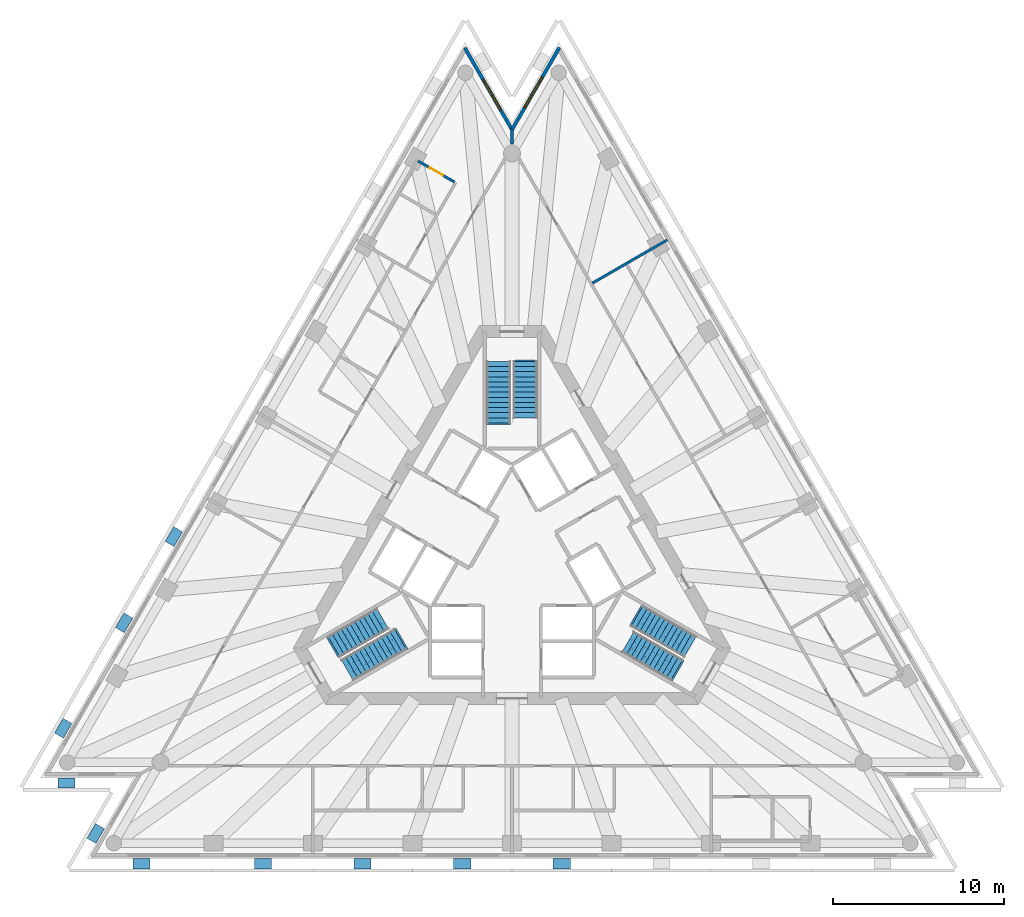
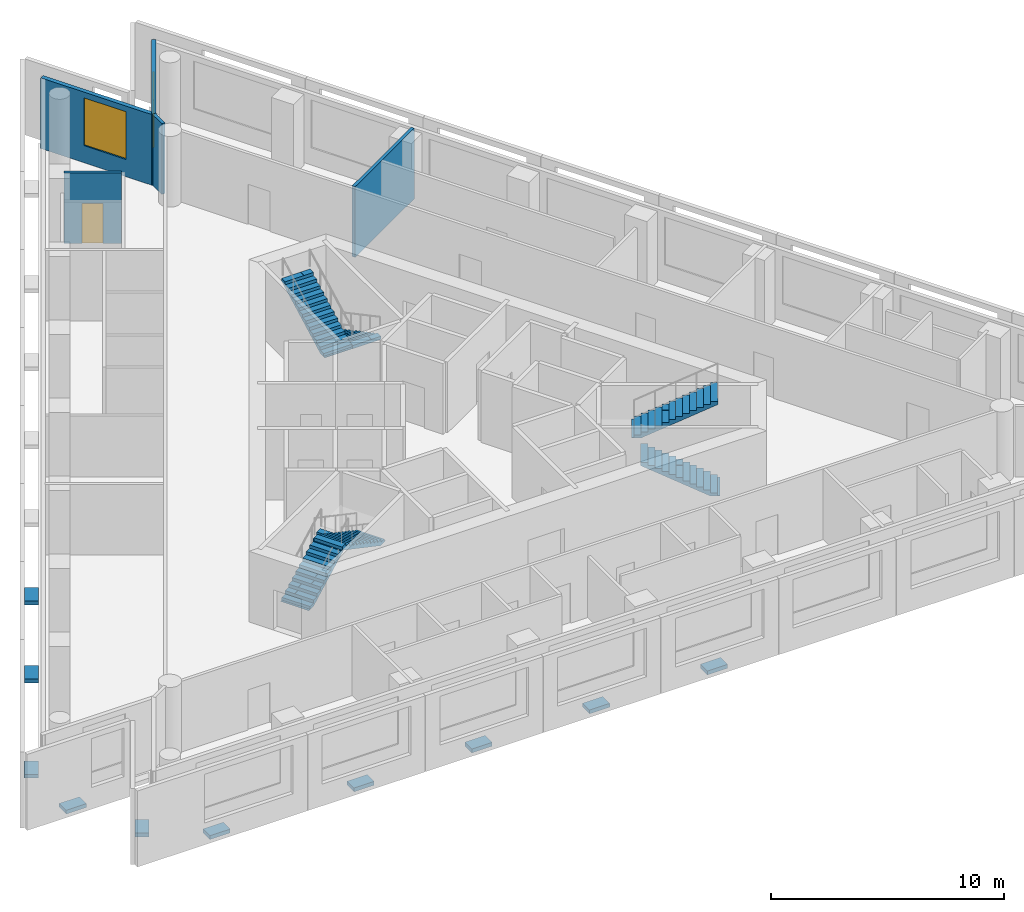
# One storey, part 7 of 10: 10 discrete accessories, 6 stair flights, 5 walls, 2 windows, 1 door, 3 openings, 3 elements without a shape of their own.
"""IFC4 building model written with IfcOpenShell, lengths in metres."""

from ifc_helpers import new_model, si_unit, direction, frame, frame_2d, origin, origin_2d, place, context, subcontext, project, spatial, polyline, rectangle, outline, extrude, material, layer, layer_set, layer_usage, type_object, element, fill, aggregate, save


model = new_model("IFC4")

# Units and contexts
model_context = context("Model", 3, precision=1e-05, world=origin(), true_north=direction((0.0, 1.0)))
body_context = subcontext(model_context, "Body", "Model", "MODEL_VIEW")
ifc_project = project(units=[si_unit("LENGTHUNIT", "METRE"), si_unit("AREAUNIT", "SQUARE_METRE"), si_unit("VOLUMEUNIT", "CUBIC_METRE"), si_unit("PLANEANGLEUNIT", "RADIAN"), si_unit("MASSUNIT", "GRAM", prefix="KILO")], contexts=[model_context])

# Site, building, storey
site_placement = place(None, origin())
site = spatial("IfcSite", under=ifc_project, at=site_placement, CompositionType="ELEMENT")
building_placement = place(site_placement, origin())
building = spatial("IfcBuilding", under=site, at=building_placement, Name="Triada Interchange Tower", CompositionType="ELEMENT")
storey_placement = place(building_placement, frame((0.0, 0.0, 239.300048828125)))
storey = spatial("IfcBuildingStorey", under=building, at=storey_placement, Name="L56", CompositionType="ELEMENT", Elevation=239.300048828125)

# Wall, opening, window
ifc_material_1 = material(Name="Cement board")
ifc_layer_1 = layer(ifc_material_1, 0.02001953125, Name="Cement board cladding")
ifc_material_2 = material(Name="Sheathing board")
ifc_layer_2 = layer(ifc_material_2, 0.014892578125, Name="Sheathing board")
ifc_material_3 = material(Name="Mineral wool")
ifc_layer_3 = layer(ifc_material_3, 0.14990234375, Name="Mineral wool between steel studs")
ifc_material_4 = material(Name="Gypsum board")
ifc_layer_4 = layer(ifc_material_4, 0.014892578125, Name="Plasterboard lining")
ifc_layer_set_1 = layer_set([ifc_layer_1, ifc_layer_2, ifc_layer_3, ifc_layer_4], Name="External wall 200")
ifc_layer_usage = layer_usage(ifc_layer_set_1, "AXIS2", "POSITIVE", -0.10009765625)
wall_type_1 = type_object("IfcWallType", Name="External wall 200", PredefinedType="ELEMENTEDWALL", material=ifc_layer_set_1)
wall_1_placement = place(storey_placement, frame((2.777099609375, 29.9951171875, 0.0), z_axis=(0.0, 0.0, 1.0), x_axis=(-0.499957919771, -0.866049697453, 0.0)))
wall_1 = element("IfcWall", 1, at=wall_1_placement, inside=storey, type_object=wall_type_1, material=ifc_layer_usage, Name="External wall L56 N-1", PredefinedType="ELEMENTEDWALL", context=body_context, shape_type="SweptSolid", body=[
    extrude(rectangle(XDim=5.62451171875, YDim=0.199951171875, at=frame_2d((2.812255859375, 0.0))), origin(), (0.0, 0.0, 1.0), 3.699951171875),
])
opening_1_placement = place(wall_1_placement, frame((1.989990234375, 0.0, 0.89990234375)))
opening_1 = element("IfcOpeningElement", 2, at=opening_1_placement, cuts=wall_1, Name="Opening WC29", PredefinedType="OPENING", context=body_context, shape_type="SweptSolid", body=[
    extrude(rectangle(XDim=2.10009765625, YDim=2.5, at=frame_2d((1.050048828125, 1.25))), frame((0.0, 0.10986328125, 0.0), z_axis=(0.0, -1.0, 0.0), x_axis=(1.0, 0.0, 0.0)), (0.0, 0.0, 1.0), 0.219970703125),
])
ifc_material_5 = material(Name="Double glazed aluminium window", Category="aluminium")
window_type = type_object("IfcWindowType", Name="Ribbon window C pocket", PartitioningType="SINGLE_PANEL", PredefinedType="WINDOW", material=ifc_material_5)
window_1_placement = place(opening_1_placement, origin())
window_1 = element("IfcWindow", 3, at=window_1_placement, inside=storey, type_object=window_type, Name="Window L56 N-1 1", OverallHeight=2.5, OverallWidth=2.10009765625, PartitioningType="SINGLE_PANEL", PredefinedType="WINDOW", context=body_context, shape_type="SweptSolid", body=[
    extrude(rectangle(XDim=2.10009765625, YDim=2.5, at=frame_2d((1.050048828125, 1.25))), frame((0.0, 0.030029296875, 0.0), z_axis=(0.0, -1.0, 0.0), x_axis=(1.0, 0.0, 0.0)), (0.0, 0.0, 1.0), 0.06005859375),
])
fill(opening_1, window_1)

wall_2_placement = place(storey_placement, frame((0.044921875, 25.10693359375, 0.0), z_axis=(0.0, 0.0, 1.0), x_axis=(-0.499957919771, 0.866049697453, 0.0)))
wall_2 = element("IfcWall", 4, at=wall_2_placement, inside=storey, type_object=wall_type_1, material=ifc_layer_usage, Name="External wall L56 N-2", PredefinedType="ELEMENTEDWALL", context=body_context, shape_type="SweptSolid", body=[
    extrude(rectangle(XDim=5.62451171875, YDim=0.199951171875, at=frame_2d((2.812255859375, 0.0))), origin(), (0.0, 0.0, 1.0), 3.699951171875),
])
opening_2_placement = place(wall_2_placement, frame((1.389892578125, 0.0, 0.89990234375)))
opening_2 = element("IfcOpeningElement", 5, at=opening_2_placement, cuts=wall_2, Name="Opening WC30", PredefinedType="OPENING", context=body_context, shape_type="SweptSolid", body=[
    extrude(rectangle(XDim=2.10009765625, YDim=2.5, at=frame_2d((1.050048828125, 1.25))), frame((0.0, 0.10986328125, 0.0), z_axis=(0.0, -1.0, 0.0), x_axis=(1.0, 0.0, 0.0)), (0.0, 0.0, 1.0), 0.219970703125),
])
window_2_placement = place(opening_2_placement, origin())
window_2 = element("IfcWindow", 6, at=window_2_placement, inside=storey, type_object=window_type, Name="Window L56 N-2 1", OverallHeight=2.5, OverallWidth=2.10009765625, PartitioningType="SINGLE_PANEL", PredefinedType="WINDOW", context=body_context, shape_type="SweptSolid", body=[
    extrude(rectangle(XDim=2.10009765625, YDim=2.5, at=frame_2d((1.050048828125, 1.25))), frame((0.0, 0.030029296875, 0.0), z_axis=(0.0, -1.0, 0.0), x_axis=(1.0, 0.0, 0.0)), (0.0, 0.0, 1.0), 0.06005859375),
])
fill(opening_2, window_2)

# Walls
ifc_material_6 = material(Name="Gypsum board partition")
ifc_layer_5 = layer(ifc_material_6, 0.14990234375)
ifc_layer_set_2 = layer_set([ifc_layer_5], Name="PARTITION 150 EI 180")
wall_type_2 = type_object("IfcWallType", Name="PARTITION 150 EI 180", PredefinedType="PARTITIONING", material=ifc_layer_set_2)
wall_3_placement = place(storey_placement, frame((0.0, 24.35009765625, 0.0), z_axis=(0.0, 0.0, 1.0), x_axis=(0.0, 1.0, 0.0)))
element("IfcWall", 7, at=wall_3_placement, inside=storey, type_object=wall_type_2, Name="Wall L56 20", PredefinedType="PARTITIONING", context=body_context, shape_type="SweptSolid", body=[
    extrude(rectangle(XDim=0.8349609375, YDim=0.14990234375, at=frame_2d((0.41748046875, 0.0))), origin(), (0.0, 0.0, 1.0), 3.699951171875),
])
wall_4_placement = place(storey_placement, frame((4.7109375, 16.18994140625, 0.0), z_axis=(0.0, 0.0, 1.0), x_axis=(0.866065287345, 0.499930913282, 0.0)))
element("IfcWall", 8, at=wall_4_placement, inside=storey, type_object=wall_type_2, Name="Wall L56 24", PredefinedType="PARTITIONING", context=body_context, shape_type="SweptSolid", body=[
    extrude(rectangle(XDim=5.069091796875, YDim=0.14990234375, at=frame_2d((2.53466796875, 0.0))), origin(), (0.0, 0.0, 1.0), 3.699951171875),
])

# Wall, opening, door
ifc_layer_6 = layer(ifc_material_6, 0.14990234375)
ifc_layer_set_3 = layer_set([ifc_layer_6], Name="PARTITION 150 EI 90")
wall_type_3 = type_object("IfcWallType", Name="PARTITION 150 EI 90", PredefinedType="PARTITIONING", material=ifc_layer_set_3)
wall_5_placement = place(storey_placement, frame((-5.501953125, 23.343994140625, 0.0), z_axis=(0.0, 0.0, 1.0), x_axis=(0.866000604582, -0.500042951019, 0.0)))
wall_5 = element("IfcWall", 9, at=wall_5_placement, inside=storey, type_object=wall_type_3, Name="Wall L56 30", PredefinedType="PARTITIONING", context=body_context, shape_type="SweptSolid", body=[
    extrude(rectangle(XDim=2.461669921875, YDim=0.14990234375, at=frame_2d((1.23095703125, 0.0))), origin(), (0.0, 0.0, 1.0), 3.699951171875),
])
opening_3_placement = place(wall_5_placement, frame((0.77490234375, 0.0, 0.0)))
opening_3 = element("IfcOpeningElement", 10, at=opening_3_placement, cuts=wall_5, Name="Opening D56-32", PredefinedType="OPENING", context=body_context, shape_type="SweptSolid", body=[
    extrude(rectangle(XDim=0.89990234375, YDim=2.10009765625, at=frame_2d((0.449951171875, 1.050048828125))), frame((0.0, 0.0849609375, 0.0), z_axis=(0.0, -1.0, 0.0), x_axis=(1.0, 0.0, 0.0)), (0.0, 0.0, 1.0), 0.169921875),
])
ifc_material_7 = material(Name="Steel S235 door leaf", Category="steel")
door_type = type_object("IfcDoorType", Name="SERVICE DOOR 900 EI2 45-C5S200", OperationType="NOTDEFINED", PredefinedType="DOOR", material=ifc_material_7)
door_placement = place(opening_3_placement, origin())
door = element("IfcDoor", 11, at=door_placement, inside=storey, type_object=door_type, Name="Door D56-32 L56", OperationType="SINGLE_SWING_RIGHT", OverallHeight=2.10009765625, OverallWidth=0.89990234375, PredefinedType="DOOR", context=body_context, shape_type="SweptSolid", body=[
    extrude(rectangle(XDim=0.89990234375, YDim=2.10009765625, at=frame_2d((0.449951171875, 1.050048828125))), frame((0.0, 0.02490234375, 0.0), z_axis=(0.0, -1.0, 0.0), x_axis=(1.0, 0.0, 0.0)), (0.0, 0.0, 1.0), 0.050048828125),
])
fill(opening_3, door)

# Stair, stair flights
ifc_material_8 = material(Name="Concrete C35/45", Category="concrete")
stair_type = type_object("IfcStairType", Name="HALF TURN STAIR 1400", PredefinedType="HALF_TURN_STAIR", material=ifc_material_8)
stair_1_placement = place(storey_placement, origin())
stair_1 = element("IfcStair", 12, at=stair_1_placement, inside=storey, type_object=stair_type, Name="Exit stair S56-1", PredefinedType="HALF_TURN_STAIR")
stair_flight_type = type_object("IfcStairFlightType", Name="STRAIGHT STAIR FLIGHT 1400", PredefinedType="STRAIGHT", material=ifc_material_8)
stair_flight_1_placement = place(storey_placement, frame((0.800048828125, 11.60009765625, 0.0), z_axis=(0.0, 0.0, 1.0), x_axis=(0.0, -1.0, 0.0)))
stair_flight_1 = element("IfcStairFlight", 13, at=stair_flight_1_placement, type_object=stair_flight_type, Name="S56-1 flight 1", NumberOfRisers=12, NumberOfTreads=11, PredefinedType="STRAIGHT", RiserHeight=0.16, TreadLength=0.3, context=body_context, shape_type="SweptSolid", body=[
    extrude(outline(polyline([(-0.10009765625, 0.0), (-0.10009765625, 0.02001953125), (0.0, 0.02001953125), (0.0, 0.159912109375), (0.300048828125, 0.159912109375), (0.300048828125, 0.320068359375), (0.60009765625, 0.320068359375), (0.60009765625, 0.47998046875), (0.89990234375, 0.47998046875), (0.89990234375, 0.639892578125), (1.199951171875, 0.639892578125), (1.199951171875, 0.800048828125), (1.5, 0.800048828125), (1.5, 0.9599609375), (1.800048828125, 0.9599609375), (1.800048828125, 1.1201171875), (2.10009765625, 1.1201171875), (2.10009765625, 1.280029296875), (2.39990234375, 1.280029296875), (2.39990234375, 1.43994140625), (2.699951171875, 1.43994140625), (2.699951171875, 1.60009765625), (3.0, 1.60009765625), (3.0, 1.760009765625), (3.300048828125, 1.760009765625), (3.303955078125, 1.760009765625), (3.303955078125, 1.919921875), (3.303955078125, 1.590087890625), (0.318603515625, 0.0), (-0.10009765625, 0.0)])), frame((0.0, 0.699951171875, 0.0), z_axis=(0.0, -1.0, 0.0), x_axis=(1.0, 0.0, 0.0)), (0.0, 0.0, 1.0), 0.46533203125),
    extrude(outline(polyline([(-0.10009765625, 0.0), (-0.10009765625, 0.02001953125), (0.0, 0.02001953125), (0.0, 0.159912109375), (0.300048828125, 0.159912109375), (0.300048828125, 0.320068359375), (0.60009765625, 0.320068359375), (0.60009765625, 0.47998046875), (0.89990234375, 0.47998046875), (0.89990234375, 0.639892578125), (1.199951171875, 0.639892578125), (1.199951171875, 0.800048828125), (1.5, 0.800048828125), (1.5, 0.9599609375), (1.800048828125, 0.9599609375), (1.800048828125, 1.1201171875), (2.10009765625, 1.1201171875), (2.10009765625, 1.280029296875), (2.39990234375, 1.280029296875), (2.39990234375, 1.43994140625), (2.699951171875, 1.43994140625), (2.699951171875, 1.60009765625), (3.0, 1.60009765625), (3.0, 1.760009765625), (3.300048828125, 1.760009765625), (3.303955078125, 1.760009765625), (3.303955078125, 1.919921875), (3.303955078125, 1.590087890625), (0.318603515625, 0.0), (-0.10009765625, 0.0)])), frame((0.0, 0.232666015625, 0.0), z_axis=(0.0, -1.0, 0.0), x_axis=(1.0, 0.0, 0.0)), (0.0, 0.0, 1.0), 0.46533203125),
    extrude(outline(polyline([(-0.10009765625, 0.0), (-0.10009765625, 0.02001953125), (0.0, 0.02001953125), (0.0, 0.159912109375), (0.300048828125, 0.159912109375), (0.300048828125, 0.320068359375), (0.60009765625, 0.320068359375), (0.60009765625, 0.47998046875), (0.89990234375, 0.47998046875), (0.89990234375, 0.639892578125), (1.199951171875, 0.639892578125), (1.199951171875, 0.800048828125), (1.5, 0.800048828125), (1.5, 0.9599609375), (1.800048828125, 0.9599609375), (1.800048828125, 1.1201171875), (2.10009765625, 1.1201171875), (2.10009765625, 1.280029296875), (2.39990234375, 1.280029296875), (2.39990234375, 1.43994140625), (2.699951171875, 1.43994140625), (2.699951171875, 1.60009765625), (3.0, 1.60009765625), (3.0, 1.760009765625), (3.300048828125, 1.760009765625), (3.303955078125, 1.760009765625), (3.303955078125, 1.919921875), (3.303955078125, 1.590087890625), (0.318603515625, 0.0), (-0.10009765625, 0.0)])), frame((0.0, -0.234619140625, 0.0), z_axis=(0.0, -1.0, 0.0), x_axis=(1.0, 0.0, 0.0)), (0.0, 0.0, 1.0), 0.46533203125),
])
stair_flight_2_placement = place(storey_placement, frame((-0.800048828125, 8.0, 1.919921875), z_axis=(0.0, 0.0, 1.0), x_axis=(0.0, 1.0, 0.0)))
stair_flight_2 = element("IfcStairFlight", 14, at=stair_flight_2_placement, type_object=stair_flight_type, Name="S56-1 flight 2", NumberOfRisers=13, NumberOfTreads=12, PredefinedType="STRAIGHT", RiserHeight=0.16, TreadLength=0.3, context=body_context, shape_type="SweptSolid", body=[
    extrude(outline(polyline([(-0.10009765625, 0.0), (-0.10009765625, 0.02001953125), (0.0, 0.02001953125), (0.0, 0.159912109375), (0.300048828125, 0.159912109375), (0.300048828125, 0.320068359375), (0.60009765625, 0.320068359375), (0.60009765625, 0.47998046875), (0.89990234375, 0.47998046875), (0.89990234375, 0.639892578125), (1.199951171875, 0.639892578125), (1.199951171875, 0.800048828125), (1.5, 0.800048828125), (1.5, 0.9599609375), (1.800048828125, 0.9599609375), (1.800048828125, 1.1201171875), (2.10009765625, 1.1201171875), (2.10009765625, 1.280029296875), (2.39990234375, 1.280029296875), (2.39990234375, 1.43994140625), (2.699951171875, 1.43994140625), (2.699951171875, 1.60009765625), (3.0, 1.60009765625), (3.0, 1.760009765625), (3.300048828125, 1.760009765625), (3.300048828125, 1.919921875), (3.60009765625, 1.919921875), (3.60400390625, 1.919921875), (3.60400390625, 2.080078125), (3.60400390625, 1.75), (0.318603515625, 0.0), (-0.10009765625, 0.0)])), frame((0.0, 0.699951171875, 0.0), z_axis=(0.0, -1.0, 0.0), x_axis=(1.0, 0.0, 0.0)), (0.0, 0.0, 1.0), 0.46533203125),
    extrude(outline(polyline([(-0.10009765625, 0.0), (-0.10009765625, 0.02001953125), (0.0, 0.02001953125), (0.0, 0.159912109375), (0.300048828125, 0.159912109375), (0.300048828125, 0.320068359375), (0.60009765625, 0.320068359375), (0.60009765625, 0.47998046875), (0.89990234375, 0.47998046875), (0.89990234375, 0.639892578125), (1.199951171875, 0.639892578125), (1.199951171875, 0.800048828125), (1.5, 0.800048828125), (1.5, 0.9599609375), (1.800048828125, 0.9599609375), (1.800048828125, 1.1201171875), (2.10009765625, 1.1201171875), (2.10009765625, 1.280029296875), (2.39990234375, 1.280029296875), (2.39990234375, 1.43994140625), (2.699951171875, 1.43994140625), (2.699951171875, 1.60009765625), (3.0, 1.60009765625), (3.0, 1.760009765625), (3.300048828125, 1.760009765625), (3.300048828125, 1.919921875), (3.60009765625, 1.919921875), (3.60400390625, 1.919921875), (3.60400390625, 2.080078125), (3.60400390625, 1.75), (0.318603515625, 0.0), (-0.10009765625, 0.0)])), frame((0.0, 0.232666015625, 0.0), z_axis=(0.0, -1.0, 0.0), x_axis=(1.0, 0.0, 0.0)), (0.0, 0.0, 1.0), 0.46533203125),
    extrude(outline(polyline([(-0.10009765625, 0.0), (-0.10009765625, 0.02001953125), (0.0, 0.02001953125), (0.0, 0.159912109375), (0.300048828125, 0.159912109375), (0.300048828125, 0.320068359375), (0.60009765625, 0.320068359375), (0.60009765625, 0.47998046875), (0.89990234375, 0.47998046875), (0.89990234375, 0.639892578125), (1.199951171875, 0.639892578125), (1.199951171875, 0.800048828125), (1.5, 0.800048828125), (1.5, 0.9599609375), (1.800048828125, 0.9599609375), (1.800048828125, 1.1201171875), (2.10009765625, 1.1201171875), (2.10009765625, 1.280029296875), (2.39990234375, 1.280029296875), (2.39990234375, 1.43994140625), (2.699951171875, 1.43994140625), (2.699951171875, 1.60009765625), (3.0, 1.60009765625), (3.0, 1.760009765625), (3.300048828125, 1.760009765625), (3.300048828125, 1.919921875), (3.60009765625, 1.919921875), (3.60400390625, 1.919921875), (3.60400390625, 2.080078125), (3.60400390625, 1.75), (0.318603515625, 0.0), (-0.10009765625, 0.0)])), frame((0.0, -0.234619140625, 0.0), z_axis=(0.0, -1.0, 0.0), x_axis=(1.0, 0.0, 0.0)), (0.0, 0.0, 1.0), 0.46533203125),
])
aggregate(stair_1, [stair_flight_1, stair_flight_2])

stair_2_placement = place(storey_placement, origin())
stair_2 = element("IfcStair", 15, at=stair_2_placement, inside=storey, type_object=stair_type, Name="Exit stair S56-2", PredefinedType="HALF_TURN_STAIR")
stair_flight_3_placement = place(storey_placement, frame((-10.446044921875, -5.10693359375, 0.0), z_axis=(0.0, 0.0, 1.0), x_axis=(0.866025403784, 0.5, 0.0)))
stair_flight_3 = element("IfcStairFlight", 16, at=stair_flight_3_placement, type_object=stair_flight_type, Name="S56-2 flight 1", NumberOfRisers=12, NumberOfTreads=11, PredefinedType="STRAIGHT", RiserHeight=0.16, TreadLength=0.3, context=body_context, shape_type="SweptSolid", body=[
    extrude(outline(polyline([(-0.10009765625, 0.0), (-0.10009765625, 0.02001953125), (0.0, 0.02001953125), (0.0, 0.159912109375), (0.300048828125, 0.159912109375), (0.300048828125, 0.320068359375), (0.60009765625, 0.320068359375), (0.60009765625, 0.47998046875), (0.89990234375, 0.47998046875), (0.89990234375, 0.639892578125), (1.199951171875, 0.639892578125), (1.199951171875, 0.800048828125), (1.5, 0.800048828125), (1.5, 0.9599609375), (1.800048828125, 0.9599609375), (1.800048828125, 1.1201171875), (2.10009765625, 1.1201171875), (2.10009765625, 1.280029296875), (2.39990234375, 1.280029296875), (2.39990234375, 1.43994140625), (2.699951171875, 1.43994140625), (2.699951171875, 1.60009765625), (3.0, 1.60009765625), (3.0, 1.760009765625), (3.300048828125, 1.760009765625), (3.303955078125, 1.760009765625), (3.303955078125, 1.919921875), (3.303955078125, 1.590087890625), (0.318603515625, 0.0), (-0.10009765625, 0.0)])), frame((0.0, 0.699951171875, 0.0), z_axis=(0.0, -1.0, 0.0), x_axis=(1.0, 0.0, 0.0)), (0.0, 0.0, 1.0), 0.46533203125),
    extrude(outline(polyline([(-0.10009765625, 0.0), (-0.10009765625, 0.02001953125), (0.0, 0.02001953125), (0.0, 0.159912109375), (0.300048828125, 0.159912109375), (0.300048828125, 0.320068359375), (0.60009765625, 0.320068359375), (0.60009765625, 0.47998046875), (0.89990234375, 0.47998046875), (0.89990234375, 0.639892578125), (1.199951171875, 0.639892578125), (1.199951171875, 0.800048828125), (1.5, 0.800048828125), (1.5, 0.9599609375), (1.800048828125, 0.9599609375), (1.800048828125, 1.1201171875), (2.10009765625, 1.1201171875), (2.10009765625, 1.280029296875), (2.39990234375, 1.280029296875), (2.39990234375, 1.43994140625), (2.699951171875, 1.43994140625), (2.699951171875, 1.60009765625), (3.0, 1.60009765625), (3.0, 1.760009765625), (3.300048828125, 1.760009765625), (3.303955078125, 1.760009765625), (3.303955078125, 1.919921875), (3.303955078125, 1.590087890625), (0.318603515625, 0.0), (-0.10009765625, 0.0)])), frame((0.0, 0.232666015625, 0.0), z_axis=(0.0, -1.0, 0.0), x_axis=(1.0, 0.0, 0.0)), (0.0, 0.0, 1.0), 0.46533203125),
    extrude(outline(polyline([(-0.10009765625, 0.0), (-0.10009765625, 0.02001953125), (0.0, 0.02001953125), (0.0, 0.159912109375), (0.300048828125, 0.159912109375), (0.300048828125, 0.320068359375), (0.60009765625, 0.320068359375), (0.60009765625, 0.47998046875), (0.89990234375, 0.47998046875), (0.89990234375, 0.639892578125), (1.199951171875, 0.639892578125), (1.199951171875, 0.800048828125), (1.5, 0.800048828125), (1.5, 0.9599609375), (1.800048828125, 0.9599609375), (1.800048828125, 1.1201171875), (2.10009765625, 1.1201171875), (2.10009765625, 1.280029296875), (2.39990234375, 1.280029296875), (2.39990234375, 1.43994140625), (2.699951171875, 1.43994140625), (2.699951171875, 1.60009765625), (3.0, 1.60009765625), (3.0, 1.760009765625), (3.300048828125, 1.760009765625), (3.303955078125, 1.760009765625), (3.303955078125, 1.919921875), (3.303955078125, 1.590087890625), (0.318603515625, 0.0), (-0.10009765625, 0.0)])), frame((0.0, -0.234619140625, 0.0), z_axis=(0.0, -1.0, 0.0), x_axis=(1.0, 0.0, 0.0)), (0.0, 0.0, 1.0), 0.46533203125),
])
stair_flight_4_placement = place(storey_placement, frame((-6.528076171875, -4.693115234375, 1.919921875), z_axis=(0.0, 0.0, 1.0), x_axis=(-0.866025403784, -0.5, 0.0)))
stair_flight_4 = element("IfcStairFlight", 17, at=stair_flight_4_placement, type_object=stair_flight_type, Name="S56-2 flight 2", NumberOfRisers=13, NumberOfTreads=12, PredefinedType="STRAIGHT", RiserHeight=0.16, TreadLength=0.3, context=body_context, shape_type="SweptSolid", body=[
    extrude(outline(polyline([(-0.10009765625, 0.0), (-0.10009765625, 0.02001953125), (0.0, 0.02001953125), (0.0, 0.159912109375), (0.300048828125, 0.159912109375), (0.300048828125, 0.320068359375), (0.60009765625, 0.320068359375), (0.60009765625, 0.47998046875), (0.89990234375, 0.47998046875), (0.89990234375, 0.639892578125), (1.199951171875, 0.639892578125), (1.199951171875, 0.800048828125), (1.5, 0.800048828125), (1.5, 0.9599609375), (1.800048828125, 0.9599609375), (1.800048828125, 1.1201171875), (2.10009765625, 1.1201171875), (2.10009765625, 1.280029296875), (2.39990234375, 1.280029296875), (2.39990234375, 1.43994140625), (2.699951171875, 1.43994140625), (2.699951171875, 1.60009765625), (3.0, 1.60009765625), (3.0, 1.760009765625), (3.300048828125, 1.760009765625), (3.300048828125, 1.919921875), (3.60009765625, 1.919921875), (3.60400390625, 1.919921875), (3.60400390625, 2.080078125), (3.60400390625, 1.75), (0.318603515625, 0.0), (-0.10009765625, 0.0)])), frame((0.0, 0.699951171875, 0.0), z_axis=(0.0, -1.0, 0.0), x_axis=(1.0, 0.0, 0.0)), (0.0, 0.0, 1.0), 0.46533203125),
    extrude(outline(polyline([(-0.10009765625, 0.0), (-0.10009765625, 0.02001953125), (0.0, 0.02001953125), (0.0, 0.159912109375), (0.300048828125, 0.159912109375), (0.300048828125, 0.320068359375), (0.60009765625, 0.320068359375), (0.60009765625, 0.47998046875), (0.89990234375, 0.47998046875), (0.89990234375, 0.639892578125), (1.199951171875, 0.639892578125), (1.199951171875, 0.800048828125), (1.5, 0.800048828125), (1.5, 0.9599609375), (1.800048828125, 0.9599609375), (1.800048828125, 1.1201171875), (2.10009765625, 1.1201171875), (2.10009765625, 1.280029296875), (2.39990234375, 1.280029296875), (2.39990234375, 1.43994140625), (2.699951171875, 1.43994140625), (2.699951171875, 1.60009765625), (3.0, 1.60009765625), (3.0, 1.760009765625), (3.300048828125, 1.760009765625), (3.300048828125, 1.919921875), (3.60009765625, 1.919921875), (3.60400390625, 1.919921875), (3.60400390625, 2.080078125), (3.60400390625, 1.75), (0.318603515625, 0.0), (-0.10009765625, 0.0)])), frame((0.0, 0.232666015625, 0.0), z_axis=(0.0, -1.0, 0.0), x_axis=(1.0, 0.0, 0.0)), (0.0, 0.0, 1.0), 0.46533203125),
    extrude(outline(polyline([(-0.10009765625, 0.0), (-0.10009765625, 0.02001953125), (0.0, 0.02001953125), (0.0, 0.159912109375), (0.300048828125, 0.159912109375), (0.300048828125, 0.320068359375), (0.60009765625, 0.320068359375), (0.60009765625, 0.47998046875), (0.89990234375, 0.47998046875), (0.89990234375, 0.639892578125), (1.199951171875, 0.639892578125), (1.199951171875, 0.800048828125), (1.5, 0.800048828125), (1.5, 0.9599609375), (1.800048828125, 0.9599609375), (1.800048828125, 1.1201171875), (2.10009765625, 1.1201171875), (2.10009765625, 1.280029296875), (2.39990234375, 1.280029296875), (2.39990234375, 1.43994140625), (2.699951171875, 1.43994140625), (2.699951171875, 1.60009765625), (3.0, 1.60009765625), (3.0, 1.760009765625), (3.300048828125, 1.760009765625), (3.300048828125, 1.919921875), (3.60009765625, 1.919921875), (3.60400390625, 1.919921875), (3.60400390625, 2.080078125), (3.60400390625, 1.75), (0.318603515625, 0.0), (-0.10009765625, 0.0)])), frame((0.0, -0.234619140625, 0.0), z_axis=(0.0, -1.0, 0.0), x_axis=(1.0, 0.0, 0.0)), (0.0, 0.0, 1.0), 0.46533203125),
])
aggregate(stair_2, [stair_flight_3, stair_flight_4])

stair_3_placement = place(storey_placement, origin())
stair_3 = element("IfcStair", 18, at=stair_3_placement, inside=storey, type_object=stair_type, Name="Exit stair S56-3", PredefinedType="HALF_TURN_STAIR")
stair_flight_5_placement = place(storey_placement, frame((9.64599609375, -6.492919921875, 0.0), z_axis=(0.0, 0.0, 1.0), x_axis=(-0.866025403784, 0.5, 0.0)))
stair_flight_5 = element("IfcStairFlight", 19, at=stair_flight_5_placement, type_object=stair_flight_type, Name="S56-3 flight 1", NumberOfRisers=12, NumberOfTreads=11, PredefinedType="STRAIGHT", RiserHeight=0.16, TreadLength=0.3, context=body_context, shape_type="SweptSolid", body=[
    extrude(outline(polyline([(-0.10009765625, 0.0), (-0.10009765625, 0.02001953125), (0.0, 0.02001953125), (0.0, 0.159912109375), (0.300048828125, 0.159912109375), (0.300048828125, 0.320068359375), (0.60009765625, 0.320068359375), (0.60009765625, 0.47998046875), (0.89990234375, 0.47998046875), (0.89990234375, 0.639892578125), (1.199951171875, 0.639892578125), (1.199951171875, 0.800048828125), (1.5, 0.800048828125), (1.5, 0.9599609375), (1.800048828125, 0.9599609375), (1.800048828125, 1.1201171875), (2.10009765625, 1.1201171875), (2.10009765625, 1.280029296875), (2.39990234375, 1.280029296875), (2.39990234375, 1.43994140625), (2.699951171875, 1.43994140625), (2.699951171875, 1.60009765625), (3.0, 1.60009765625), (3.0, 1.760009765625), (3.300048828125, 1.760009765625), (3.303955078125, 1.760009765625), (3.303955078125, 1.919921875), (3.303955078125, 1.590087890625), (0.318603515625, 0.0), (-0.10009765625, 0.0)])), frame((0.0, 0.699951171875, 0.0), z_axis=(0.0, -1.0, 0.0), x_axis=(1.0, 0.0, 0.0)), (0.0, 0.0, 1.0), 0.46533203125),
    extrude(outline(polyline([(-0.10009765625, 0.0), (-0.10009765625, 0.02001953125), (0.0, 0.02001953125), (0.0, 0.159912109375), (0.300048828125, 0.159912109375), (0.300048828125, 0.320068359375), (0.60009765625, 0.320068359375), (0.60009765625, 0.47998046875), (0.89990234375, 0.47998046875), (0.89990234375, 0.639892578125), (1.199951171875, 0.639892578125), (1.199951171875, 0.800048828125), (1.5, 0.800048828125), (1.5, 0.9599609375), (1.800048828125, 0.9599609375), (1.800048828125, 1.1201171875), (2.10009765625, 1.1201171875), (2.10009765625, 1.280029296875), (2.39990234375, 1.280029296875), (2.39990234375, 1.43994140625), (2.699951171875, 1.43994140625), (2.699951171875, 1.60009765625), (3.0, 1.60009765625), (3.0, 1.760009765625), (3.300048828125, 1.760009765625), (3.303955078125, 1.760009765625), (3.303955078125, 1.919921875), (3.303955078125, 1.590087890625), (0.318603515625, 0.0), (-0.10009765625, 0.0)])), frame((0.0, 0.232666015625, 0.0), z_axis=(0.0, -1.0, 0.0), x_axis=(1.0, 0.0, 0.0)), (0.0, 0.0, 1.0), 0.46533203125),
    extrude(outline(polyline([(-0.10009765625, 0.0), (-0.10009765625, 0.02001953125), (0.0, 0.02001953125), (0.0, 0.159912109375), (0.300048828125, 0.159912109375), (0.300048828125, 0.320068359375), (0.60009765625, 0.320068359375), (0.60009765625, 0.47998046875), (0.89990234375, 0.47998046875), (0.89990234375, 0.639892578125), (1.199951171875, 0.639892578125), (1.199951171875, 0.800048828125), (1.5, 0.800048828125), (1.5, 0.9599609375), (1.800048828125, 0.9599609375), (1.800048828125, 1.1201171875), (2.10009765625, 1.1201171875), (2.10009765625, 1.280029296875), (2.39990234375, 1.280029296875), (2.39990234375, 1.43994140625), (2.699951171875, 1.43994140625), (2.699951171875, 1.60009765625), (3.0, 1.60009765625), (3.0, 1.760009765625), (3.300048828125, 1.760009765625), (3.303955078125, 1.760009765625), (3.303955078125, 1.919921875), (3.303955078125, 1.590087890625), (0.318603515625, 0.0), (-0.10009765625, 0.0)])), frame((0.0, -0.234619140625, 0.0), z_axis=(0.0, -1.0, 0.0), x_axis=(1.0, 0.0, 0.0)), (0.0, 0.0, 1.0), 0.46533203125),
])
stair_flight_6_placement = place(storey_placement, frame((7.327880859375, -3.306884765625, 1.919921875), z_axis=(0.0, 0.0, 1.0), x_axis=(0.866025403784, -0.5, 0.0)))
stair_flight_6 = element("IfcStairFlight", 20, at=stair_flight_6_placement, type_object=stair_flight_type, Name="S56-3 flight 2", NumberOfRisers=13, NumberOfTreads=12, PredefinedType="STRAIGHT", RiserHeight=0.16, TreadLength=0.3, context=body_context, shape_type="SweptSolid", body=[
    extrude(outline(polyline([(-0.10009765625, 0.0), (-0.10009765625, 0.02001953125), (0.0, 0.02001953125), (0.0, 0.159912109375), (0.300048828125, 0.159912109375), (0.300048828125, 0.320068359375), (0.60009765625, 0.320068359375), (0.60009765625, 0.47998046875), (0.89990234375, 0.47998046875), (0.89990234375, 0.639892578125), (1.199951171875, 0.639892578125), (1.199951171875, 0.800048828125), (1.5, 0.800048828125), (1.5, 0.9599609375), (1.800048828125, 0.9599609375), (1.800048828125, 1.1201171875), (2.10009765625, 1.1201171875), (2.10009765625, 1.280029296875), (2.39990234375, 1.280029296875), (2.39990234375, 1.43994140625), (2.699951171875, 1.43994140625), (2.699951171875, 1.60009765625), (3.0, 1.60009765625), (3.0, 1.760009765625), (3.300048828125, 1.760009765625), (3.300048828125, 1.919921875), (3.60009765625, 1.919921875), (3.60400390625, 1.919921875), (3.60400390625, 2.080078125), (3.60400390625, 1.75), (0.318603515625, 0.0), (-0.10009765625, 0.0)])), frame((0.0, 0.699951171875, 0.0), z_axis=(0.0, -1.0, 0.0), x_axis=(1.0, 0.0, 0.0)), (0.0, 0.0, 1.0), 0.46533203125),
    extrude(outline(polyline([(-0.10009765625, 0.0), (-0.10009765625, 0.02001953125), (0.0, 0.02001953125), (0.0, 0.159912109375), (0.300048828125, 0.159912109375), (0.300048828125, 0.320068359375), (0.60009765625, 0.320068359375), (0.60009765625, 0.47998046875), (0.89990234375, 0.47998046875), (0.89990234375, 0.639892578125), (1.199951171875, 0.639892578125), (1.199951171875, 0.800048828125), (1.5, 0.800048828125), (1.5, 0.9599609375), (1.800048828125, 0.9599609375), (1.800048828125, 1.1201171875), (2.10009765625, 1.1201171875), (2.10009765625, 1.280029296875), (2.39990234375, 1.280029296875), (2.39990234375, 1.43994140625), (2.699951171875, 1.43994140625), (2.699951171875, 1.60009765625), (3.0, 1.60009765625), (3.0, 1.760009765625), (3.300048828125, 1.760009765625), (3.300048828125, 1.919921875), (3.60009765625, 1.919921875), (3.60400390625, 1.919921875), (3.60400390625, 2.080078125), (3.60400390625, 1.75), (0.318603515625, 0.0), (-0.10009765625, 0.0)])), frame((0.0, 0.232666015625, 0.0), z_axis=(0.0, -1.0, 0.0), x_axis=(1.0, 0.0, 0.0)), (0.0, 0.0, 1.0), 0.46533203125),
    extrude(outline(polyline([(-0.10009765625, 0.0), (-0.10009765625, 0.02001953125), (0.0, 0.02001953125), (0.0, 0.159912109375), (0.300048828125, 0.159912109375), (0.300048828125, 0.320068359375), (0.60009765625, 0.320068359375), (0.60009765625, 0.47998046875), (0.89990234375, 0.47998046875), (0.89990234375, 0.639892578125), (1.199951171875, 0.639892578125), (1.199951171875, 0.800048828125), (1.5, 0.800048828125), (1.5, 0.9599609375), (1.800048828125, 0.9599609375), (1.800048828125, 1.1201171875), (2.10009765625, 1.1201171875), (2.10009765625, 1.280029296875), (2.39990234375, 1.280029296875), (2.39990234375, 1.43994140625), (2.699951171875, 1.43994140625), (2.699951171875, 1.60009765625), (3.0, 1.60009765625), (3.0, 1.760009765625), (3.300048828125, 1.760009765625), (3.300048828125, 1.919921875), (3.60009765625, 1.919921875), (3.60400390625, 1.919921875), (3.60400390625, 2.080078125), (3.60400390625, 1.75), (0.318603515625, 0.0), (-0.10009765625, 0.0)])), frame((0.0, -0.234619140625, 0.0), z_axis=(0.0, -1.0, 0.0), x_axis=(1.0, 0.0, 0.0)), (0.0, 0.0, 1.0), 0.46533203125),
])
aggregate(stair_3, [stair_flight_5, stair_flight_6])

# Discrete accessories
ifc_material_9 = material(Name="Steel S355", Category="steel")
discrete_accessory_type = type_object("IfcDiscreteAccessoryType", Name="Steel bracket outer skin", PredefinedType="BRACKET", material=ifc_material_9)
for number, where, z_axis, x_axis, name in (
    (21, (-19.81103515625, 1.3349609375, -0.27001953125), (0.0, 0.0, 1.0), (-0.866030360477, 0.499991414658, 0.0), "Bracket L56 06"),
    (22, (-22.72705078125, -3.716064453125, -0.27001953125), (0.0, 0.0, 1.0), (-0.866030360477, 0.499991414658, 0.0), "Bracket L56 07"),
    (23, (-26.29296875, -9.89208984375, -0.27001953125), (0.0, 0.0, 1.0), (-0.866030360477, 0.499991414658, 0.0), "Bracket L56 08"),
    (24, (-26.10205078125, -13.093017578125, -0.27001953125), (0.0, 0.0, 1.0), (0.0, -1.0, 0.0), "Bracket L56 09"),
    (25, (-24.388916015625, -16.05908203125, -0.27001953125), (0.0, 0.0, 1.0), (-0.865981339585, 0.500076313667, 0.0), "Bracket L56 10"),
    (26, (-21.712890625, -17.823974609375, -0.27001953125), (0.0, 0.0, 1.0), (0.0, -1.0, 0.0), "Bracket L56 11"),
    (27, (-14.5810546875, -17.823974609375, -0.27001953125), (0.0, 0.0, 1.0), (0.0, -1.0, 0.0), "Bracket L56 12"),
    (28, (-8.7490234375, -17.823974609375, -0.27001953125), (0.0, 0.0, 1.0), (0.0, -1.0, 0.0), "Bracket L56 13"),
    (29, (-2.916015625, -17.823974609375, -0.27001953125), (0.0, 0.0, 1.0), (0.0, -1.0, 0.0), "Bracket L56 14"),
    (30, (2.916015625, -17.823974609375, -0.27001953125), (0.0, 0.0, 1.0), (0.0, -1.0, 0.0), "Bracket L56 15"),
):
    element("IfcDiscreteAccessory", number, at=place(storey_placement, frame(where, z_axis=z_axis, x_axis=x_axis)), inside=storey, type_object=discrete_accessory_type, Name=name, PredefinedType="BRACKET", context=body_context, shape_type="SweptSolid", body=[
        extrude(rectangle(XDim=0.60009765625, YDim=1.0, at=origin_2d()), origin(), (0.0, 0.0, 1.0), 0.199951171875),
    ])

save(model, "model.ifc")
